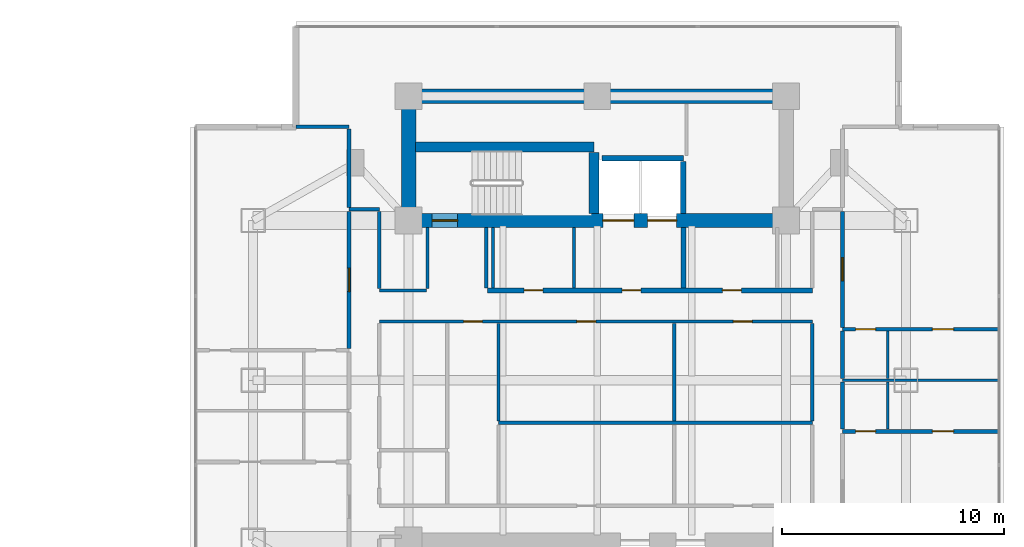
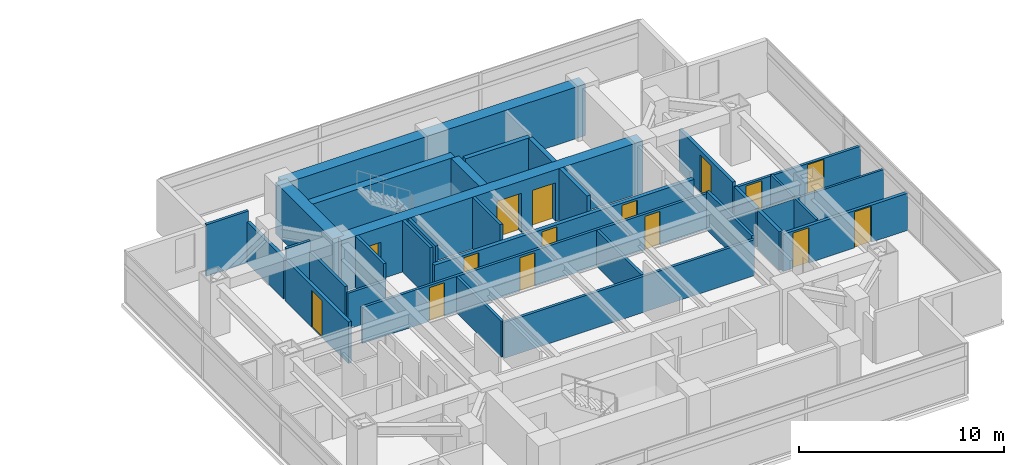
# One storey, part 17 of 24: 32 walls, 15 doors, 15 openings.
"""IFC4 building model written with IfcOpenShell, lengths in metres."""

from ifc_helpers import new_model, si_unit, direction, frame, frame_2d, origin, place, context, subcontext, project, spatial, rectangle, extrude, material, layer, layer_set, type_object, element, fill, save


model = new_model("IFC4")

# Units and contexts
model_context = context("Model", 3, precision=1e-05, world=origin(), true_north=direction((0.0, 1.0)))
body_context = subcontext(model_context, "Body", "Model", "MODEL_VIEW")
ifc_project = project(units=[si_unit("LENGTHUNIT", "METRE"), si_unit("AREAUNIT", "SQUARE_METRE"), si_unit("VOLUMEUNIT", "CUBIC_METRE"), si_unit("PLANEANGLEUNIT", "RADIAN"), si_unit("MASSUNIT", "GRAM", prefix="KILO")], contexts=[model_context])

# Site, building, storey
site_placement = place(None, origin())
site = spatial("IfcSite", under=ifc_project, at=site_placement, CompositionType="ELEMENT")
building_placement = place(site_placement, origin())
building = spatial("IfcBuilding", under=site, at=building_placement, Name="Mirazonda Arch Towers", CompositionType="ELEMENT")
storey_placement = place(building_placement, frame((0.0, 0.0, 101.60009765625)))
storey = spatial("IfcBuildingStorey", under=building, at=storey_placement, Name="L28", CompositionType="ELEMENT", Elevation=101.60009765625)

# Walls
ifc_material_1 = material(Name="Concrete C50/60", Category="concrete")
ifc_layer_1 = layer(ifc_material_1, 0.449951171875, Name="WALL-CORE-450")
ifc_layer_set_1 = layer_set([ifc_layer_1], Name="Concrete C50/60")
wall_type_1 = type_object("IfcWallType", Name="WALL-CORE-450", PredefinedType="SHEAR", material=ifc_layer_set_1)
wall_1_placement = place(storey_placement, frame((68.320068359375, 38.5, 0.0), z_axis=(0.0, 0.0, 1.0), x_axis=(1.0, 0.0, 0.0)))
element("IfcWall", 1, at=wall_1_placement, inside=storey, type_object=wall_type_1, Name="L28 Stair Core Shear Wall 059", PredefinedType="SHEAR", context=body_context, shape_type="SweptSolid", body=[
    extrude(rectangle(XDim=8.0400390625, YDim=0.449951171875, at=frame_2d((4.02001953125, 0.0))), origin(), (0.0, 0.0, 1.0), 3.079833984375),
])
wall_2_placement = place(storey_placement, frame((76.360107421875, 35.52001953125, 0.0), z_axis=(0.0, 0.0, 1.0), x_axis=(0.0, 1.0, 0.0)))
element("IfcWall", 2, at=wall_2_placement, inside=storey, type_object=wall_type_1, Name="L28 Stair Core Shear Wall 152", PredefinedType="SHEAR", context=body_context, shape_type="SweptSolid", body=[
    extrude(rectangle(XDim=2.744873046875, YDim=0.449951171875, at=frame_2d((1.37255859375, 0.0))), origin(), (0.0, 0.0, 1.0), 3.079833984375),
])
ifc_material_2 = material(Name="Concrete C60/75", Category="concrete")
ifc_layer_2 = layer(ifc_material_2, 0.64990234375, Name="WALL-CORE-650")
ifc_layer_set_2 = layer_set([ifc_layer_2], Name="Concrete C60/75")
wall_type_2 = type_object("IfcWallType", Name="WALL-CORE-650", PredefinedType="SHEAR", material=ifc_layer_set_2)
wall_3_placement = place(storey_placement, frame((68.0, 40.800048828125, 0.0), z_axis=(0.0, 0.0, 1.0), x_axis=(1.0, 0.0, 0.0)))
element("IfcWall", 3, at=wall_3_placement, inside=storey, type_object=wall_type_2, Name="L28 T2N-N Core Shear Wall", PredefinedType="SHEAR", context=body_context, shape_type="SweptSolid", body=[
    extrude(rectangle(XDim=17.0, YDim=0.64990234375, at=frame_2d((8.5, 0.0))), origin(), (0.0, 0.0, 1.0), 3.079833984375),
])
wall_4_placement = place(storey_placement, frame((68.0, 35.199951171875, 0.0), z_axis=(0.0, 0.0, 1.0), x_axis=(0.0, 1.0, 0.0)))
element("IfcWall", 4, at=wall_4_placement, inside=storey, type_object=wall_type_2, Name="L28 T2N-W Core Shear Wall", PredefinedType="SHEAR", context=body_context, shape_type="SweptSolid", body=[
    extrude(rectangle(XDim=5.60009765625, YDim=0.64990234375, at=frame_2d((2.800048828125, 0.0))), origin(), (0.0, 0.0, 1.0), 3.079833984375),
])

# Wall, openings, doors
wall_5_placement = place(storey_placement, frame((68.0, 35.199951171875, 0.0), z_axis=(0.0, 0.0, 1.0), x_axis=(1.0, 0.0, 0.0)))
wall_5 = element("IfcWall", 5, at=wall_5_placement, inside=storey, type_object=wall_type_2, Name="L28 T2N-S Core Shear Wall", PredefinedType="SHEAR", context=body_context, shape_type="SweptSolid", body=[
    extrude(rectangle(XDim=17.0, YDim=0.64990234375, at=frame_2d((8.5, 0.0))), origin(), (0.0, 0.0, 1.0), 3.079833984375),
])
opening_1_placement = place(wall_5_placement, frame((1.06005859375, 0.0, 0.0)))
opening_1 = element("IfcOpeningElement", 6, at=opening_1_placement, cuts=wall_5, Name="Opening DR-135", PredefinedType="OPENING", context=body_context, shape_type="SweptSolid", body=[
    extrude(rectangle(XDim=1.14990234375, YDim=2.199951171875, at=frame_2d((0.574951171875, 1.10009765625))), frame((0.0, 0.3349609375, 0.0), z_axis=(0.0, -1.0, 0.0), x_axis=(1.0, 0.0, 0.0)), (0.0, 0.0, 1.0), 0.669921875),
])
opening_2_placement = place(wall_5_placement, frame((8.75, 0.0, 0.0)))
opening_2 = element("IfcOpeningElement", 7, at=opening_2_placement, cuts=wall_5, Name="Opening LD-112", PredefinedType="OPENING", context=body_context, shape_type="SweptSolid", body=[
    extrude(rectangle(XDim=1.39990234375, YDim=2.35009765625, at=frame_2d((0.699951171875, 1.175048828125))), frame((0.0, 0.3349609375, 0.0), z_axis=(0.0, -1.0, 0.0), x_axis=(1.0, 0.0, 0.0)), (0.0, 0.0, 1.0), 0.669921875),
])
opening_3_placement = place(wall_5_placement, frame((10.77001953125, 0.0, 0.0)))
opening_3 = element("IfcOpeningElement", 8, at=opening_3_placement, cuts=wall_5, Name="Opening LD-111", PredefinedType="OPENING", context=body_context, shape_type="SweptSolid", body=[
    extrude(rectangle(XDim=1.300048828125, YDim=2.300048828125, at=frame_2d((0.64990234375, 1.14990234375))), frame((0.0, 0.3349609375, 0.0), z_axis=(0.0, -1.0, 0.0), x_axis=(1.0, 0.0, 0.0)), (0.0, 0.0, 1.0), 0.669921875),
])
ifc_material_3 = material(Name="Architectural Brushed Steel S355", Category="steel")
door_type_1 = type_object("IfcDoorType", Name="DOOR-LIFT-FFL-1400", OperationType="NOTDEFINED", PredefinedType="DOOR", material=ifc_material_3)
door_1_placement = place(opening_2_placement, origin())
door_1 = element("IfcDoor", 9, at=door_1_placement, inside=storey, type_object=door_type_1, Name="L28 Lift Landing Sliding Door FFL-T2", OperationType="DOUBLE_DOOR_SLIDING", OverallHeight=2.35009765625, OverallWidth=1.39990234375, PredefinedType="DOOR", context=body_context, shape_type="SweptSolid", body=[
    extrude(rectangle(XDim=1.39990234375, YDim=2.35009765625, at=frame_2d((0.699951171875, 1.175048828125))), frame((0.0, 0.02490234375, 0.0), z_axis=(0.0, -1.0, 0.0), x_axis=(1.0, 0.0, 0.0)), (0.0, 0.0, 1.0), 0.050048828125),
])
fill(opening_2, door_1)
door_type_2 = type_object("IfcDoorType", Name="DOOR-LIFT-LAND-1300", OperationType="NOTDEFINED", PredefinedType="DOOR", material=ifc_material_3)
door_2_placement = place(opening_3_placement, origin())
door_2 = element("IfcDoor", 10, at=door_2_placement, inside=storey, type_object=door_type_2, Name="L28 Lift Landing Sliding Door SVL-T2", OperationType="DOUBLE_DOOR_SLIDING", OverallHeight=2.300048828125, OverallWidth=1.300048828125, PredefinedType="DOOR", context=body_context, shape_type="SweptSolid", body=[
    extrude(rectangle(XDim=1.300048828125, YDim=2.300048828125, at=frame_2d((0.64990234375, 1.14990234375))), frame((0.0, 0.02490234375, 0.0), z_axis=(0.0, -1.0, 0.0), x_axis=(1.0, 0.0, 0.0)), (0.0, 0.0, 1.0), 0.050048828125),
])
fill(opening_3, door_2)
door_type_3 = type_object("IfcDoorType", Name="DOOR-STAIR-FD90-1150", OperationType="NOTDEFINED", PredefinedType="DOOR", material=ifc_material_3)
door_3_placement = place(opening_1_placement, origin())
door_3 = element("IfcDoor", 11, at=door_3_placement, inside=storey, type_object=door_type_3, Name="L28 East Protected Stair North Door", OperationType="SINGLE_SWING_RIGHT", OverallHeight=2.199951171875, OverallWidth=1.14990234375, PredefinedType="DOOR", context=body_context, shape_type="SweptSolid", body=[
    extrude(rectangle(XDim=1.14990234375, YDim=2.199951171875, at=frame_2d((0.574951171875, 1.10009765625))), frame((0.0, 0.02490234375, 0.0), z_axis=(0.0, -1.0, 0.0), x_axis=(1.0, 0.0, 0.0)), (0.0, 0.0, 1.0), 0.050048828125),
])
fill(opening_1, door_3)

ifc_material_4 = material(Name="Concrete C40/50", Category="concrete")
ifc_layer_3 = layer(ifc_material_4, 0.219970703125, Name="WALL-FFL-220")
ifc_layer_set_3 = layer_set([ifc_layer_3], Name="Concrete C40/50")
wall_type_3 = type_object("IfcWallType", Name="WALL-FFL-220", PredefinedType="SOLIDWALL", material=ifc_layer_set_3)
wall_6_placement = place(storey_placement, frame((71.550048828125, 32.050048828125, 0.0), z_axis=(0.0, 0.0, 1.0), x_axis=(1.0, 0.0, 0.0)))
wall_6 = element("IfcWall", 12, at=wall_6_placement, inside=storey, type_object=wall_type_3, Name="L28 Interior Partition 047", PredefinedType="SOLIDWALL", context=body_context, shape_type="SweptSolid", body=[
    extrude(rectangle(XDim=14.6298828125, YDim=0.219970703125, at=frame_2d((7.31494140625, 0.0))), origin(), (0.0, 0.0, 1.0), 2.14501953125),
])
opening_4_placement = place(wall_6_placement, frame((6.06494140625, 0.0, 0.0)))
opening_4 = element("IfcOpeningElement", 13, at=opening_4_placement, cuts=wall_6, Name="Opening DR-128", PredefinedType="OPENING", context=body_context, shape_type="SweptSolid", body=[
    extrude(rectangle(XDim=0.85009765625, YDim=2.010009765625, at=frame_2d((0.425048828125, 1.0048828125))), frame((0.0, 0.119873046875, 0.0), z_axis=(0.0, -1.0, 0.0), x_axis=(1.0, 0.0, 0.0)), (0.0, 0.0, 1.0), 0.239990234375),
])
opening_5_placement = place(wall_6_placement, frame((10.5849609375, 0.0, 0.0)))
opening_5 = element("IfcOpeningElement", 14, at=opening_5_placement, cuts=wall_6, Name="Opening DR-128", PredefinedType="OPENING", context=body_context, shape_type="SweptSolid", body=[
    extrude(rectangle(XDim=0.85009765625, YDim=2.010009765625, at=frame_2d((0.425048828125, 1.0048828125))), frame((0.0, 0.119873046875, 0.0), z_axis=(0.0, -1.0, 0.0), x_axis=(1.0, 0.0, 0.0)), (0.0, 0.0, 1.0), 0.239990234375),
])
opening_6_placement = place(wall_6_placement, frame((1.64990234375, 0.0, 0.0)))
opening_6 = element("IfcOpeningElement", 15, at=opening_6_placement, cuts=wall_6, Name="Opening DR-128", PredefinedType="OPENING", context=body_context, shape_type="SweptSolid", body=[
    extrude(rectangle(XDim=0.85009765625, YDim=2.010009765625, at=frame_2d((0.425048828125, 1.0048828125))), frame((0.0, 0.119873046875, 0.0), z_axis=(0.0, -1.0, 0.0), x_axis=(1.0, 0.0, 0.0)), (0.0, 0.0, 1.0), 0.239990234375),
])
door_type_4 = type_object("IfcDoorType", Name="DOOR-RISER-FD60-850", OperationType="NOTDEFINED", PredefinedType="DOOR", material=ifc_material_3)
door_4_placement = place(opening_4_placement, origin())
door_4 = element("IfcDoor", 16, at=door_4_placement, inside=storey, type_object=door_type_4, Name="L28 East Firefighting Lift Lobby Door", OperationType="SINGLE_SWING_LEFT", OverallHeight=2.010009765625, OverallWidth=0.85009765625, PredefinedType="DOOR", context=body_context, shape_type="SweptSolid", body=[
    extrude(rectangle(XDim=0.85009765625, YDim=2.010009765625, at=frame_2d((0.425048828125, 1.0048828125))), frame((0.0, 0.02490234375, 0.0), z_axis=(0.0, -1.0, 0.0), x_axis=(1.0, 0.0, 0.0)), (0.0, 0.0, 1.0), 0.050048828125),
])
fill(opening_4, door_4)
door_5_placement = place(opening_5_placement, origin())
door_5 = element("IfcDoor", 17, at=door_5_placement, inside=storey, type_object=door_type_4, Name="L28 East Sky Reading Library Door", OperationType="SINGLE_SWING_RIGHT", OverallHeight=2.010009765625, OverallWidth=0.85009765625, PredefinedType="DOOR", context=body_context, shape_type="SweptSolid", body=[
    extrude(rectangle(XDim=0.85009765625, YDim=2.010009765625, at=frame_2d((0.425048828125, 1.0048828125))), frame((0.0, 0.02490234375, 0.0), z_axis=(0.0, -1.0, 0.0), x_axis=(1.0, 0.0, 0.0)), (0.0, 0.0, 1.0), 0.050048828125),
])
fill(opening_5, door_5)
door_6_placement = place(opening_6_placement, origin())
door_6 = element("IfcDoor", 18, at=door_6_placement, inside=storey, type_object=door_type_4, Name="L28 Tower 2 Housekeeping & Linen Room Door", OperationType="SINGLE_SWING_LEFT", OverallHeight=2.010009765625, OverallWidth=0.85009765625, PredefinedType="DOOR", context=body_context, shape_type="SweptSolid", body=[
    extrude(rectangle(XDim=0.85009765625, YDim=2.010009765625, at=frame_2d((0.425048828125, 1.0048828125))), frame((0.0, 0.02490234375, 0.0), z_axis=(0.0, -1.0, 0.0), x_axis=(1.0, 0.0, 0.0)), (0.0, 0.0, 1.0), 0.050048828125),
])
fill(opening_6, door_6)

# Walls
wall_7_placement = place(storey_placement, frame((80.3798828125, 32.169921875, 0.0), z_axis=(0.0, 0.0, 1.0), x_axis=(0.0, 1.0, 0.0)))
element("IfcWall", 19, at=wall_7_placement, inside=storey, type_object=wall_type_3, Name="L28 Interior Partition 156", PredefinedType="SOLIDWALL", context=body_context, shape_type="SweptSolid", body=[
    extrude(rectangle(XDim=2.7099609375, YDim=0.219970703125, at=frame_2d((1.35498046875, 0.0))), origin(), (0.0, 0.0, 1.0), 3.079833984375),
])
ifc_material_5 = material(Name="Fire-Rated Gypsum Stud Partition")
ifc_layer_4 = layer(ifc_material_5, 0.14990234375, Name="WALL-PART-CORR-150")
ifc_layer_set_4 = layer_set([ifc_layer_4], Name="Fire-Rated Gypsum Stud Partition")
wall_type_4 = type_object("IfcWallType", Name="WALL-PART-CORR-150", PredefinedType="PARTITIONING", material=ifc_layer_set_4)
wall_8_placement = place(storey_placement, frame((72.050048828125, 26.0849609375, 0.0), z_axis=(0.0, 0.0, 1.0), x_axis=(1.0, 0.0, 0.0)))
element("IfcWall", 20, at=wall_8_placement, inside=storey, type_object=wall_type_4, Name="L28 Interior Partition 034", PredefinedType="PARTITIONING", context=body_context, shape_type="SweptSolid", body=[
    extrude(rectangle(XDim=14.1298828125, YDim=0.14990234375, at=frame_2d((7.06494140625, 0.0))), origin(), (0.0, 0.0, 1.0), 2.14501953125),
])

# Wall, openings, doors
wall_9_placement = place(storey_placement, frame((87.5400390625, 30.300048828125, 0.0), z_axis=(0.0, 0.0, 1.0), x_axis=(1.0, 0.0, 0.0)))
wall_9 = element("IfcWall", 21, at=wall_9_placement, inside=storey, type_object=wall_type_4, Name="L28 Interior Partition 043", PredefinedType="PARTITIONING", context=body_context, shape_type="SweptSolid", body=[
    extrude(rectangle(XDim=7.053955078125, YDim=0.14990234375, at=frame_2d((3.52685546875, 0.0))), origin(), (0.0, 0.0, 1.0), 2.2158203125),
])
opening_7_placement = place(wall_9_placement, frame((4.052001953125, 0.0, 0.0)))
opening_7 = element("IfcOpeningElement", 22, at=opening_7_placement, cuts=wall_9, Name="Opening DR-104", PredefinedType="OPENING", context=body_context, shape_type="SweptSolid", body=[
    extrude(rectangle(XDim=0.949951171875, YDim=2.14990234375, at=frame_2d((0.47509765625, 1.074951171875))), frame((0.0, 0.0849609375, 0.0), z_axis=(0.0, -1.0, 0.0), x_axis=(1.0, 0.0, 0.0)), (0.0, 0.0, 1.0), 0.169921875),
])
opening_8_placement = place(wall_9_placement, frame((0.590087890625, 0.0, 0.0)))
opening_8 = element("IfcOpeningElement", 23, at=opening_8_placement, cuts=wall_9, Name="Opening DR-120", PredefinedType="OPENING", context=body_context, shape_type="SweptSolid", body=[
    extrude(rectangle(XDim=0.89990234375, YDim=2.10009765625, at=frame_2d((0.449951171875, 1.050048828125))), frame((0.0, 0.0849609375, 0.0), z_axis=(0.0, -1.0, 0.0), x_axis=(1.0, 0.0, 0.0)), (0.0, 0.0, 1.0), 0.169921875),
])
door_type_5 = type_object("IfcDoorType", Name="DOOR-ROOM-950", OperationType="NOTDEFINED", PredefinedType="DOOR", material=ifc_material_3)
door_7_placement = place(opening_7_placement, origin())
door_7 = element("IfcDoor", 24, at=door_7_placement, inside=storey, type_object=door_type_5, Name="L28 Guestroom Study 2 Door", OperationType="SINGLE_SWING_RIGHT", OverallHeight=2.14990234375, OverallWidth=0.949951171875, PredefinedType="DOOR", context=body_context, shape_type="SweptSolid", body=[
    extrude(rectangle(XDim=0.949951171875, YDim=2.14990234375, at=frame_2d((0.47509765625, 1.074951171875))), frame((0.0, 0.02490234375, 0.0), z_axis=(0.0, -1.0, 0.0), x_axis=(1.0, 0.0, 0.0)), (0.0, 0.0, 1.0), 0.050048828125),
])
fill(opening_7, door_7)
door_type_6 = type_object("IfcDoorType", Name="DOOR-WC-900", OperationType="NOTDEFINED", PredefinedType="DOOR", material=ifc_material_3)
door_8_placement = place(opening_8_placement, origin())
door_8 = element("IfcDoor", 25, at=door_8_placement, inside=storey, type_object=door_type_6, Name="L28 En-Suite Bathroom 2 Door", OperationType="SINGLE_SWING_LEFT", OverallHeight=2.10009765625, OverallWidth=0.89990234375, PredefinedType="DOOR", context=body_context, shape_type="SweptSolid", body=[
    extrude(rectangle(XDim=0.89990234375, YDim=2.10009765625, at=frame_2d((0.449951171875, 1.050048828125))), frame((0.0, 0.02490234375, 0.0), z_axis=(0.0, -1.0, 0.0), x_axis=(1.0, 0.0, 0.0)), (0.0, 0.0, 1.0), 0.050048828125),
])
fill(opening_8, door_8)

wall_10_placement = place(storey_placement, frame((66.679931640625, 30.64990234375, 0.0), z_axis=(0.0, 0.0, 1.0), x_axis=(1.0, 0.0, 0.0)))
wall_10 = element("IfcWall", 26, at=wall_10_placement, inside=storey, type_object=wall_type_4, Name="L28 Interior Partition 045", PredefinedType="PARTITIONING", context=body_context, shape_type="SweptSolid", body=[
    extrude(rectangle(XDim=19.5, YDim=0.14990234375, at=frame_2d((9.75, 0.0))), origin(), (0.0, 0.0, 1.0), 2.14501953125),
])
opening_9_placement = place(wall_10_placement, frame((3.794921875, 0.0, 0.0)))
opening_9 = element("IfcOpeningElement", 27, at=opening_9_placement, cuts=wall_10, Name="Opening DR-128", PredefinedType="OPENING", context=body_context, shape_type="SweptSolid", body=[
    extrude(rectangle(XDim=0.85009765625, YDim=2.010009765625, at=frame_2d((0.425048828125, 1.0048828125))), frame((0.0, 0.0849609375, 0.0), z_axis=(0.0, -1.0, 0.0), x_axis=(1.0, 0.0, 0.0)), (0.0, 0.0, 1.0), 0.169921875),
])
opening_10_placement = place(wall_10_placement, frame((8.901611328125, 0.0, 0.0)))
opening_10 = element("IfcOpeningElement", 28, at=opening_10_placement, cuts=wall_10, Name="Opening DR-128", PredefinedType="OPENING", context=body_context, shape_type="SweptSolid", body=[
    extrude(rectangle(XDim=0.85009765625, YDim=2.010009765625, at=frame_2d((0.425048828125, 1.0048828125))), frame((0.0, 0.0849609375, 0.0), z_axis=(0.0, -1.0, 0.0), x_axis=(1.0, 0.0, 0.0)), (0.0, 0.0, 1.0), 0.169921875),
])
opening_11_placement = place(wall_10_placement, frame((15.946533203125, 0.0, 0.0)))
opening_11 = element("IfcOpeningElement", 29, at=opening_11_placement, cuts=wall_10, Name="Opening DR-128", PredefinedType="OPENING", context=body_context, shape_type="SweptSolid", body=[
    extrude(rectangle(XDim=0.85009765625, YDim=2.010009765625, at=frame_2d((0.425048828125, 1.0048828125))), frame((0.0, 0.0849609375, 0.0), z_axis=(0.0, -1.0, 0.0), x_axis=(1.0, 0.0, 0.0)), (0.0, 0.0, 1.0), 0.169921875),
])
door_9_placement = place(opening_9_placement, origin())
door_9 = element("IfcDoor", 30, at=door_9_placement, inside=storey, type_object=door_type_4, Name="L28 L28 East Courtyard Study Door", OperationType="SINGLE_SWING_LEFT", OverallHeight=2.010009765625, OverallWidth=0.85009765625, PredefinedType="DOOR", context=body_context, shape_type="SweptSolid", body=[
    extrude(rectangle(XDim=0.85009765625, YDim=2.010009765625, at=frame_2d((0.425048828125, 1.0048828125))), frame((0.0, 0.02490234375, 0.0), z_axis=(0.0, -1.0, 0.0), x_axis=(1.0, 0.0, 0.0)), (0.0, 0.0, 1.0), 0.050048828125),
])
fill(opening_9, door_9)
door_10_placement = place(opening_10_placement, origin())
door_10 = element("IfcDoor", 31, at=door_10_placement, inside=storey, type_object=door_type_4, Name="L28 Concierge Salon Door", OperationType="SINGLE_SWING_RIGHT", OverallHeight=2.010009765625, OverallWidth=0.85009765625, PredefinedType="DOOR", context=body_context, shape_type="SweptSolid", body=[
    extrude(rectangle(XDim=0.85009765625, YDim=2.010009765625, at=frame_2d((0.425048828125, 1.0048828125))), frame((0.0, 0.02490234375, 0.0), z_axis=(0.0, -1.0, 0.0), x_axis=(1.0, 0.0, 0.0)), (0.0, 0.0, 1.0), 0.050048828125),
])
fill(opening_10, door_10)
door_11_placement = place(opening_11_placement, origin())
door_11 = element("IfcDoor", 32, at=door_11_placement, inside=storey, type_object=door_type_4, Name="L28 Private Meeting Suite Door", OperationType="SINGLE_SWING_LEFT", OverallHeight=2.010009765625, OverallWidth=0.85009765625, PredefinedType="DOOR", context=body_context, shape_type="SweptSolid", body=[
    extrude(rectangle(XDim=0.85009765625, YDim=2.010009765625, at=frame_2d((0.425048828125, 1.0048828125))), frame((0.0, 0.02490234375, 0.0), z_axis=(0.0, -1.0, 0.0), x_axis=(1.0, 0.0, 0.0)), (0.0, 0.0, 1.0), 0.050048828125),
])
fill(opening_11, door_11)

# Walls
wall_11_placement = place(storey_placement, frame((66.679931640625, 32.050048828125, 0.0), z_axis=(0.0, 0.0, 1.0), x_axis=(1.0, 0.0, 0.0)))
element("IfcWall", 33, at=wall_11_placement, inside=storey, type_object=wall_type_4, Name="L28 Interior Partition 046", PredefinedType="PARTITIONING", context=body_context, shape_type="SweptSolid", body=[
    extrude(rectangle(XDim=2.1201171875, YDim=0.14990234375, at=frame_2d((1.06005859375, 0.0))), origin(), (0.0, 0.0, 1.0), 2.14501953125),
])
wall_12_placement = place(storey_placement, frame((65.320068359375, 35.699951171875, 0.0), z_axis=(0.0, 0.0, 1.0), x_axis=(1.0, 0.0, 0.0)))
element("IfcWall", 34, at=wall_12_placement, inside=storey, type_object=wall_type_4, Name="L28 Interior Partition 055", PredefinedType="PARTITIONING", context=body_context, shape_type="SweptSolid", body=[
    extrude(rectangle(XDim=1.35986328125, YDim=0.14990234375, at=frame_2d((0.679931640625, 0.0))), origin(), (0.0, 0.0, 1.0), 3.079833984375),
])
wall_13_placement = place(storey_placement, frame((62.94189453125, 39.4140625, 0.0), z_axis=(0.0, 0.0, 1.0), x_axis=(1.0, 0.0, 0.0)))
element("IfcWall", 35, at=wall_13_placement, inside=storey, type_object=wall_type_4, Name="L28 Interior Partition 060", PredefinedType="PARTITIONING", context=body_context, shape_type="SweptSolid", body=[
    extrude(rectangle(XDim=2.378173828125, YDim=0.14990234375, at=frame_2d((1.18896484375, 0.0))), origin(), (0.0, 0.0, 1.0), 3.079833984375),
])
wall_14_placement = place(storey_placement, frame((66.679931640625, 32.135009765625, 0.0), z_axis=(0.0, 0.0, 1.0), x_axis=(0.0, 1.0, 0.0)))
element("IfcWall", 36, at=wall_14_placement, inside=storey, type_object=wall_type_4, Name="L28 Interior Partition 142", PredefinedType="PARTITIONING", context=body_context, shape_type="SweptSolid", body=[
    extrude(rectangle(XDim=3.47998046875, YDim=0.14990234375, at=frame_2d((1.739990234375, 0.0))), origin(), (0.0, 0.0, 1.0), 2.471923828125),
])
wall_15_placement = place(storey_placement, frame((68.85009765625, 32.135009765625, 0.0), z_axis=(0.0, 0.0, 1.0), x_axis=(0.0, 1.0, 0.0)))
element("IfcWall", 37, at=wall_15_placement, inside=storey, type_object=wall_type_4, Name="L28 Interior Partition 143", PredefinedType="PARTITIONING", context=body_context, shape_type="SweptSolid", body=[
    extrude(rectangle(XDim=2.744873046875, YDim=0.14990234375, at=frame_2d((1.37255859375, 0.0))), origin(), (0.0, 0.0, 1.0), 3.079833984375),
])
for number, where, z_axis, x_axis, name in (
    (38, (71.5, 32.169921875, 0.0), (0.0, 0.0, 1.0), (0.0, 1.0, 0.0), "L28 Interior Partition 146"),
    (39, (71.800048828125, 32.169921875, 0.0), (0.0, 0.0, 1.0), (0.0, 1.0, 0.0), "L28 Interior Partition 147"),
):
    element("IfcWall", number, at=place(storey_placement, frame(where, z_axis=z_axis, x_axis=x_axis)), inside=storey, type_object=wall_type_4, Name=name, PredefinedType="PARTITIONING", context=body_context, shape_type="SweptSolid", body=[
        extrude(rectangle(XDim=2.7099609375, YDim=0.14990234375, at=frame_2d((1.35498046875, 0.0))), origin(), (0.0, 0.0, 1.0), 3.079833984375),
    ])
wall_16_placement = place(storey_placement, frame((72.050048828125, 26.169921875, 0.0), z_axis=(0.0, 0.0, 1.0), x_axis=(0.0, 1.0, 0.0)))
element("IfcWall", 40, at=wall_16_placement, inside=storey, type_object=wall_type_4, Name="L28 Interior Partition 149", PredefinedType="PARTITIONING", context=body_context, shape_type="SweptSolid", body=[
    extrude(rectangle(XDim=4.39501953125, YDim=0.14990234375, at=frame_2d((2.197509765625, 0.0))), origin(), (0.0, 0.0, 1.0), 2.14501953125),
])
wall_17_placement = place(storey_placement, frame((75.449951171875, 32.169921875, 0.0), z_axis=(0.0, 0.0, 1.0), x_axis=(0.0, 1.0, 0.0)))
element("IfcWall", 41, at=wall_17_placement, inside=storey, type_object=wall_type_4, Name="L28 Interior Partition 150", PredefinedType="PARTITIONING", context=body_context, shape_type="SweptSolid", body=[
    extrude(rectangle(XDim=2.7099609375, YDim=0.14990234375, at=frame_2d((1.35498046875, 0.0))), origin(), (0.0, 0.0, 1.0), 3.079833984375),
])
wall_18_placement = place(storey_placement, frame((79.962890625, 26.169921875, 0.0), z_axis=(0.0, 0.0, 1.0), x_axis=(0.0, 1.0, 0.0)))
element("IfcWall", 42, at=wall_18_placement, inside=storey, type_object=wall_type_4, Name="L28 Interior Partition 155", PredefinedType="PARTITIONING", context=body_context, shape_type="SweptSolid", body=[
    extrude(rectangle(XDim=4.39501953125, YDim=0.14990234375, at=frame_2d((2.197509765625, 0.0))), origin(), (0.0, 0.0, 1.0), 2.14501953125),
])
wall_19_placement = place(storey_placement, frame((86.179931640625, 26.169921875, 0.0), z_axis=(0.0, 0.0, 1.0), x_axis=(0.0, 1.0, 0.0)))
element("IfcWall", 43, at=wall_19_placement, inside=storey, type_object=wall_type_4, Name="L28 Interior Partition 163", PredefinedType="PARTITIONING", context=body_context, shape_type="SweptSolid", body=[
    extrude(rectangle(XDim=4.39501953125, YDim=0.14990234375, at=frame_2d((2.197509765625, 0.0))), origin(), (0.0, 0.0, 1.0), 2.298828125),
])

# Wall, openings, doors
ifc_material_6 = material(Name="Fire-Rated Gypsum Twin-Stud Assembly")
ifc_layer_5 = layer(ifc_material_6, 0.179931640625, Name="WALL-PART-DEMISE-180")
ifc_layer_set_5 = layer_set([ifc_layer_5], Name="Fire-Rated Gypsum Twin-Stud Assembly")
wall_type_5 = type_object("IfcWallType", Name="WALL-PART-DEMISE-180", PredefinedType="PARTITIONING", material=ifc_layer_set_5)
wall_20_placement = place(storey_placement, frame((87.5400390625, 25.699951171875, 0.0), z_axis=(0.0, 0.0, 1.0), x_axis=(1.0, 0.0, 0.0)))
wall_20 = element("IfcWall", 44, at=wall_20_placement, inside=storey, type_object=wall_type_5, Name="L28 Interior Partition 033", PredefinedType="PARTITIONING", context=body_context, shape_type="SweptSolid", body=[
    extrude(rectangle(XDim=7.053955078125, YDim=0.179931640625, at=frame_2d((3.52685546875, 0.0))), origin(), (0.0, 0.0, 1.0), 2.2158203125),
])
opening_12_placement = place(wall_20_placement, frame((4.052001953125, 0.0, 0.0)))
opening_12 = element("IfcOpeningElement", 45, at=opening_12_placement, cuts=wall_20, Name="Opening DR-104", PredefinedType="OPENING", context=body_context, shape_type="SweptSolid", body=[
    extrude(rectangle(XDim=0.949951171875, YDim=2.14990234375, at=frame_2d((0.47509765625, 1.074951171875))), frame((0.0, 0.099853515625, 0.0), z_axis=(0.0, -1.0, 0.0), x_axis=(1.0, 0.0, 0.0)), (0.0, 0.0, 1.0), 0.199951171875),
])
opening_13_placement = place(wall_20_placement, frame((0.590087890625, 0.0, 0.0)))
opening_13 = element("IfcOpeningElement", 46, at=opening_13_placement, cuts=wall_20, Name="Opening DR-120", PredefinedType="OPENING", context=body_context, shape_type="SweptSolid", body=[
    extrude(rectangle(XDim=0.89990234375, YDim=2.10009765625, at=frame_2d((0.449951171875, 1.050048828125))), frame((0.0, 0.099853515625, 0.0), z_axis=(0.0, -1.0, 0.0), x_axis=(1.0, 0.0, 0.0)), (0.0, 0.0, 1.0), 0.199951171875),
])
door_12_placement = place(opening_12_placement, origin())
door_12 = element("IfcDoor", 47, at=door_12_placement, inside=storey, type_object=door_type_5, Name="L28 Guestroom Study 1 Door", OperationType="SINGLE_SWING_LEFT", OverallHeight=2.14990234375, OverallWidth=0.949951171875, PredefinedType="DOOR", context=body_context, shape_type="SweptSolid", body=[
    extrude(rectangle(XDim=0.949951171875, YDim=2.14990234375, at=frame_2d((0.47509765625, 1.074951171875))), frame((0.0, 0.02490234375, 0.0), z_axis=(0.0, -1.0, 0.0), x_axis=(1.0, 0.0, 0.0)), (0.0, 0.0, 1.0), 0.050048828125),
])
fill(opening_12, door_12)
door_13_placement = place(opening_13_placement, origin())
door_13 = element("IfcDoor", 48, at=door_13_placement, inside=storey, type_object=door_type_6, Name="L28 En-Suite Bathroom 1 Door", OperationType="SINGLE_SWING_RIGHT", OverallHeight=2.10009765625, OverallWidth=0.89990234375, PredefinedType="DOOR", context=body_context, shape_type="SweptSolid", body=[
    extrude(rectangle(XDim=0.89990234375, YDim=2.10009765625, at=frame_2d((0.449951171875, 1.050048828125))), frame((0.0, 0.02490234375, 0.0), z_axis=(0.0, -1.0, 0.0), x_axis=(1.0, 0.0, 0.0)), (0.0, 0.0, 1.0), 0.050048828125),
])
fill(opening_13, door_13)

# Wall, opening, door
wall_21_placement = place(storey_placement, frame((65.320068359375, 29.43701171875, 0.0), z_axis=(0.0, 0.0, 1.0), x_axis=(0.0, 1.0, 0.0)))
wall_21 = element("IfcWall", 49, at=wall_21_placement, inside=storey, type_object=wall_type_5, Name="L28 Interior Partition 137", PredefinedType="PARTITIONING", context=body_context, shape_type="SweptSolid", body=[
    extrude(rectangle(XDim=6.177978515625, YDim=0.179931640625, at=frame_2d((3.0888671875, 0.0))), origin(), (0.0, 0.0, 1.0), 2.471923828125),
])
opening_14_placement = place(wall_21_placement, frame((2.56396484375, 0.0, 0.0)))
opening_14 = element("IfcOpeningElement", 50, at=opening_14_placement, cuts=wall_21, Name="Opening DR-121", PredefinedType="OPENING", context=body_context, shape_type="SweptSolid", body=[
    extrude(rectangle(XDim=1.050048828125, YDim=2.199951171875, at=frame_2d((0.52490234375, 1.10009765625))), frame((0.0, 0.099853515625, 0.0), z_axis=(0.0, -1.0, 0.0), x_axis=(1.0, 0.0, 0.0)), (0.0, 0.0, 1.0), 0.199951171875),
])
door_type_7 = type_object("IfcDoorType", Name="DOOR-SUITE-FD60-1050", OperationType="NOTDEFINED", PredefinedType="DOOR", material=ifc_material_3)
door_14_placement = place(opening_14_placement, origin())
door_14 = element("IfcDoor", 51, at=door_14_placement, inside=storey, type_object=door_type_7, Name="L28 Deluxe Suite Living Room 2 Door", OperationType="SINGLE_SWING_LEFT", OverallHeight=2.199951171875, OverallWidth=1.050048828125, PredefinedType="DOOR", context=body_context, shape_type="SweptSolid", body=[
    extrude(rectangle(XDim=1.050048828125, YDim=2.199951171875, at=frame_2d((0.52490234375, 1.10009765625))), frame((0.0, 0.02490234375, 0.0), z_axis=(0.0, -1.0, 0.0), x_axis=(1.0, 0.0, 0.0)), (0.0, 0.0, 1.0), 0.050048828125),
])
fill(opening_14, door_14)

# Walls
wall_22_placement = place(storey_placement, frame((65.320068359375, 35.784912109375, 0.0), z_axis=(0.0, 0.0, 1.0), x_axis=(0.0, 1.0, 0.0)))
element("IfcWall", 52, at=wall_22_placement, inside=storey, type_object=wall_type_5, Name="L28 Interior Partition 138", PredefinedType="PARTITIONING", context=body_context, shape_type="SweptSolid", body=[
    extrude(rectangle(XDim=3.544189453125, YDim=0.179931640625, at=frame_2d((1.77197265625, 0.0))), origin(), (0.0, 0.0, 1.0), 2.455810546875),
])
wall_23_placement = place(storey_placement, frame((87.5400390625, 25.800048828125, 0.0), z_axis=(0.0, 0.0, 1.0), x_axis=(0.0, 1.0, 0.0)))
element("IfcWall", 53, at=wall_23_placement, inside=storey, type_object=wall_type_5, Name="L28 Interior Partition 167", PredefinedType="PARTITIONING", context=body_context, shape_type="SweptSolid", body=[
    extrude(rectangle(XDim=2.12744140625, YDim=0.179931640625, at=frame_2d((1.063720703125, 0.0))), origin(), (0.0, 0.0, 1.0), 2.298828125),
])
wall_24_placement = place(storey_placement, frame((87.5400390625, 28.072509765625, 0.0), z_axis=(0.0, 0.0, 1.0), x_axis=(0.0, 1.0, 0.0)))
element("IfcWall", 54, at=wall_24_placement, inside=storey, type_object=wall_type_5, Name="L28 Interior Partition 168", PredefinedType="PARTITIONING", context=body_context, shape_type="SweptSolid", body=[
    extrude(rectangle(XDim=2.142578125, YDim=0.179931640625, at=frame_2d((1.0712890625, 0.0))), origin(), (0.0, 0.0, 1.0), 2.298828125),
])

# Wall, opening, door
wall_25_placement = place(storey_placement, frame((87.5400390625, 30.385009765625, 0.0), z_axis=(0.0, 0.0, 1.0), x_axis=(0.0, 1.0, 0.0)))
wall_25 = element("IfcWall", 55, at=wall_25_placement, inside=storey, type_object=wall_type_5, Name="L28 Interior Partition 169", PredefinedType="PARTITIONING", context=body_context, shape_type="SweptSolid", body=[
    extrude(rectangle(XDim=5.22998046875, YDim=0.179931640625, at=frame_2d((2.614990234375, 0.0))), origin(), (0.0, 0.0, 1.0), 2.471923828125),
])
opening_15_placement = place(wall_25_placement, frame((2.090087890625, 0.0, 0.0)))
opening_15 = element("IfcOpeningElement", 56, at=opening_15_placement, cuts=wall_25, Name="Opening DR-121", PredefinedType="OPENING", context=body_context, shape_type="SweptSolid", body=[
    extrude(rectangle(XDim=1.050048828125, YDim=2.199951171875, at=frame_2d((0.52490234375, 1.10009765625))), frame((0.0, 0.099853515625, 0.0), z_axis=(0.0, -1.0, 0.0), x_axis=(1.0, 0.0, 0.0)), (0.0, 0.0, 1.0), 0.199951171875),
])
door_15_placement = place(opening_15_placement, origin())
door_15 = element("IfcDoor", 57, at=door_15_placement, inside=storey, type_object=door_type_7, Name="L28 Twin Hotel Guestroom 2 Door", OperationType="SINGLE_SWING_LEFT", OverallHeight=2.199951171875, OverallWidth=1.050048828125, PredefinedType="DOOR", context=body_context, shape_type="SweptSolid", body=[
    extrude(rectangle(XDim=1.050048828125, YDim=2.199951171875, at=frame_2d((0.52490234375, 1.10009765625))), frame((0.0, 0.02490234375, 0.0), z_axis=(0.0, -1.0, 0.0), x_axis=(1.0, 0.0, 0.0)), (0.0, 0.0, 1.0), 0.050048828125),
])
fill(opening_15, door_15)

# Walls
ifc_material_7 = material(Name="Acoustic Fire-Rated Gypsum Partition")
ifc_layer_6 = layer(ifc_material_7, 0.125, Name="WALL-PART-UNIT-125")
ifc_layer_set_6 = layer_set([ifc_layer_6], Name="Acoustic Fire-Rated Gypsum Partition")
wall_type_6 = type_object("IfcWallType", Name="WALL-PART-UNIT-125", PredefinedType="PARTITIONING", material=ifc_layer_set_6)
wall_26_placement = place(storey_placement, frame((87.5400390625, 28.0, 0.0), z_axis=(0.0, 0.0, 1.0), x_axis=(1.0, 0.0, 0.0)))
element("IfcWall", 58, at=wall_26_placement, inside=storey, type_object=wall_type_6, Name="L28 Interior Partition 040", PredefinedType="PARTITIONING", context=body_context, shape_type="SweptSolid", body=[
    extrude(rectangle(XDim=7.053955078125, YDim=0.125, at=frame_2d((3.52685546875, 0.0))), origin(), (0.0, 0.0, 1.0), 2.2158203125),
])
wall_27_placement = place(storey_placement, frame((89.580078125, 25.800048828125, 0.0), z_axis=(0.0, 0.0, 1.0), x_axis=(0.0, 1.0, 0.0)))
element("IfcWall", 59, at=wall_27_placement, inside=storey, type_object=wall_type_6, Name="L28 Interior Partition 171", PredefinedType="PARTITIONING", context=body_context, shape_type="SweptSolid", body=[
    extrude(rectangle(XDim=2.12744140625, YDim=0.125, at=frame_2d((1.063720703125, 0.0))), origin(), (0.0, 0.0, 1.0), 2.298828125),
])
wall_28_placement = place(storey_placement, frame((89.580078125, 28.072509765625, 0.0), z_axis=(0.0, 0.0, 1.0), x_axis=(0.0, 1.0, 0.0)))
element("IfcWall", 60, at=wall_28_placement, inside=storey, type_object=wall_type_6, Name="L28 Interior Partition 172", PredefinedType="PARTITIONING", context=body_context, shape_type="SweptSolid", body=[
    extrude(rectangle(XDim=2.142578125, YDim=0.125, at=frame_2d((1.0712890625, 0.0))), origin(), (0.0, 0.0, 1.0), 2.298828125),
])
ifc_layer_7 = layer(ifc_material_4, 0.25, Name="WALL-SHAFT-250")
ifc_layer_set_7 = layer_set([ifc_layer_7], Name="Concrete C40/50")
wall_type_7 = type_object("IfcWallType", Name="WALL-SHAFT-250", PredefinedType="SOLIDWALL", material=ifc_layer_set_7)
wall_29_placement = place(storey_placement, frame((76.719970703125, 38.0, 0.0), z_axis=(0.0, 0.0, 1.0), x_axis=(1.0, 0.0, 0.0)))
element("IfcWall", 61, at=wall_29_placement, inside=storey, type_object=wall_type_7, Name="L28 Interior Partition 058", PredefinedType="SOLIDWALL", context=body_context, shape_type="SweptSolid", body=[
    extrude(rectangle(XDim=3.659912109375, YDim=0.25, at=frame_2d((1.830078125, 0.0))), origin(), (0.0, 0.0, 1.0), 3.079833984375),
])
wall_30_placement = place(storey_placement, frame((80.3798828125, 35.52001953125, 0.0), z_axis=(0.0, 0.0, 1.0), x_axis=(0.0, 1.0, 0.0)))
element("IfcWall", 62, at=wall_30_placement, inside=storey, type_object=wall_type_7, Name="L28 Interior Partition 157", PredefinedType="SOLIDWALL", context=body_context, shape_type="SweptSolid", body=[
    extrude(rectangle(XDim=2.344970703125, YDim=0.25, at=frame_2d((1.17236328125, 0.0))), origin(), (0.0, 0.0, 1.0), 3.079833984375),
])

save(model, "model.ifc")
